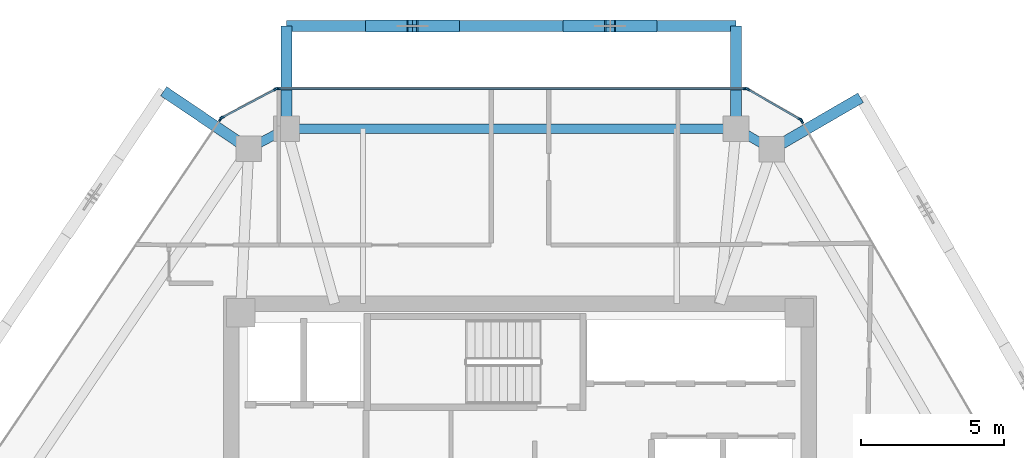
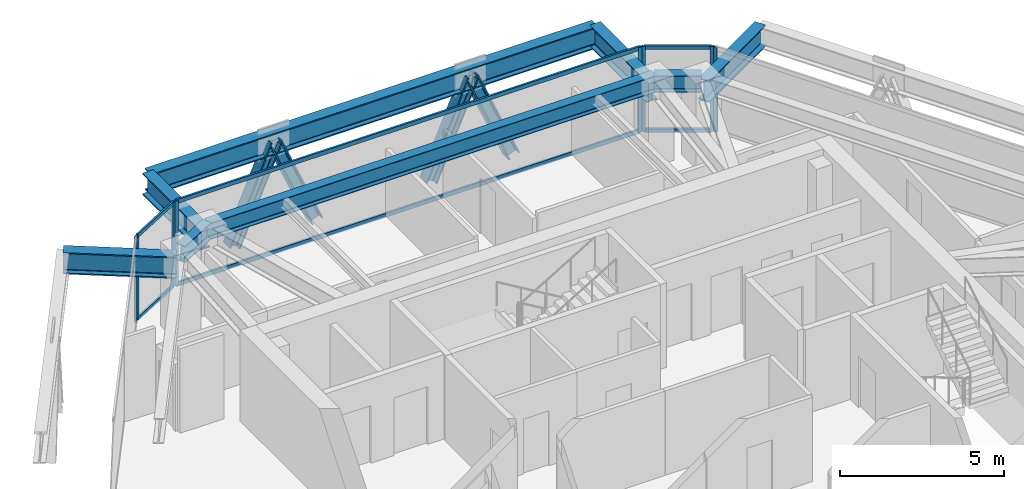
# One storey, part 6 of 13: 18 members, 8 beams, 5 elements without a shape of their own.
"""IFC4 building model written with IfcOpenShell, lengths in metres."""

from ifc_helpers import new_model, si_unit, direction, frame, origin, origin_2d, place, context, subcontext, project, spatial, rectangle, i_section, extrude, source, transform, mapped, material, layer, layer_set, material_profile, profile_set, type_object, type_shapes, element, aggregate, save


model = new_model("IFC4")

# Units and contexts
model_context = context("Model", 3, precision=1e-05, world=origin(), true_north=direction((0.0, 1.0)))
body_context = subcontext(model_context, "Body", "Model", "MODEL_VIEW")
ifc_project = project(units=[si_unit("LENGTHUNIT", "METRE"), si_unit("AREAUNIT", "SQUARE_METRE"), si_unit("VOLUMEUNIT", "CUBIC_METRE"), si_unit("PLANEANGLEUNIT", "RADIAN"), si_unit("MASSUNIT", "GRAM", prefix="KILO")], contexts=[model_context])

# Site, building, storey
site_placement = place(None, origin())
site = spatial("IfcSite", under=ifc_project, at=site_placement, CompositionType="ELEMENT")
building_placement = place(site_placement, origin())
building = spatial("IfcBuilding", under=site, at=building_placement, Name="Durnholm Broadcast Tower", CompositionType="ELEMENT")
storey_placement = place(building_placement, frame((0.0, 0.0, 254.699951171875)))
storey = spatial("IfcBuildingStorey", under=building, at=storey_placement, Name="L71", CompositionType="ELEMENT", Elevation=254.699951171875)

# Beams
ifc_material_1 = material(Name="Steel ASTM A992 Grade 50", Category="steel")
ifc_material_profile_1 = material_profile(ifc_material_1, i_section(OverallWidth=0.385009765625, OverallDepth=0.802978515625, WebThickness=0.023681640625, FlangeThickness=0.0419921875, FilletRadius=0.032958984375, at=origin_2d()), Name="W30X261")
ifc_profile_set_1 = profile_set([ifc_material_profile_1], Name="Steel ASTM A992 Grade 50")
beam_type_1 = type_object("IfcBeamType", Name="BM-EXO-TIE", PredefinedType="USERDEFINED", material=ifc_profile_set_1)
shared_shape_1 = source(origin(), body_context, "Body", "SweptSolid", [
    extrude(i_section(OverallWidth=0.385009765625, OverallDepth=0.802978515625, WebThickness=0.023681640625, FlangeThickness=0.0419921875, FilletRadius=0.032958984375, at=origin_2d()), origin(), (0.0, 0.0, 1.0), 3.4560546875),
])
for number, where, z_axis, x_axis, name in (
    (1, (7.57958984375, 14.406005859375, 2.408447265625), (0.0, 1.0, 0.0), (-1.0, 0.0, 0.0), "L71 exoskeleton stand-off tie bracket F4.1"),
    (2, (-8.187744140625, 14.406005859375, 2.408447265625), (0.0, 1.0, 0.0), (-1.0, 0.0, 0.0), "L71 exoskeleton stand-off tie bracket F4.2"),
):
    element("IfcBeam", number, at=place(storey_placement, frame(where, z_axis=z_axis, x_axis=x_axis)), inside=storey, type_object=beam_type_1, Name=name, ObjectType="GIRDER", PredefinedType="USERDEFINED", context=body_context, shape_type="MappedRepresentation", body=[
        mapped(shared_shape_1, transform((0.0, 0.0, 0.0), x_axis=(1.0, 0.0, 0.0), y_axis=(0.0, 1.0, 0.0), z_axis=(0.0, 0.0, 1.0), scale=1.0)),
    ])
shared_shape_2 = source(origin(), body_context, "Body", "SweptSolid", [
    extrude(i_section(OverallWidth=0.385009765625, OverallDepth=0.802978515625, WebThickness=0.023681640625, FlangeThickness=0.0419921875, FilletRadius=0.032958984375, at=origin_2d()), origin(), (0.0, 0.0, 1.0), 3.455810546875),
])
for number, where, z_axis, x_axis, name in (
    (3, (8.9619140625, 13.610107421875, 2.408447265625), (0.864906682814, 0.501932694715, 0.0), (-0.501932694715, 0.864906682814, 0.0), "L71 exoskeleton stand-off tie bracket F3.2"),
    (4, (-9.63427734375, 13.637939453125, 2.408447265625), (-0.828446342252, 0.560068440469, 0.0), (-0.560068440469, -0.828446342252, 0.0), "L71 exoskeleton stand-off tie bracket F5.1"),
):
    element("IfcBeam", number, at=place(storey_placement, frame(where, z_axis=z_axis, x_axis=x_axis)), inside=storey, type_object=beam_type_1, Name=name, ObjectType="GIRDER", PredefinedType="USERDEFINED", context=body_context, shape_type="MappedRepresentation", body=[
        mapped(shared_shape_2, transform((0.0, 0.0, 0.0), x_axis=(1.0, 0.0, 0.0), y_axis=(0.0, 1.0, 0.0), z_axis=(0.0, 0.0, 1.0), scale=1.0)),
    ])
ifc_material_profile_2 = material_profile(ifc_material_1, i_section(OverallWidth=0.3251953125, OverallDepth=0.6162109375, WebThickness=0.013916015625, FlangeThickness=0.021484375, FilletRadius=0.02783203125, at=origin_2d()), Name="W24X117")
ifc_profile_set_2 = profile_set([ifc_material_profile_2], Name="Steel ASTM A992 Grade 50")
beam_type_2 = type_object("IfcBeamType", Name="STL-SP-W24X117", PredefinedType="SPANDREL", material=ifc_profile_set_2)
shared_shape_3 = source(origin(), body_context, "Body", "SweptSolid", [
    extrude(i_section(OverallWidth=0.3251953125, OverallDepth=0.6162109375, WebThickness=0.013916015625, FlangeThickness=0.021484375, FilletRadius=0.02783203125, at=origin_2d()), origin(), (0.0, 0.0, 1.0), 1.502685546875),
])
beam_1_placement = place(storey_placement, frame((-9.514892578125, 13.557373046875, 2.8369140625), z_axis=(0.883241909673, 0.468917614296, 0.0), x_axis=(-0.468917614296, 0.883241909673, 0.0)))
element("IfcBeam", 5, at=beam_1_placement, inside=storey, type_object=beam_type_2, Name="L71 perimeter spandrel girder 04", PredefinedType="SPANDREL", context=body_context, shape_type="MappedRepresentation", body=[
    mapped(shared_shape_3, transform((0.0, 0.0, 0.0), x_axis=(1.0, 0.0, 0.0), y_axis=(0.0, 1.0, 0.0), z_axis=(0.0, 0.0, 1.0), scale=1.0)),
])
shared_shape_4 = source(origin(), body_context, "Body", "SweptSolid", [
    extrude(i_section(OverallWidth=0.3251953125, OverallDepth=0.6162109375, WebThickness=0.013916015625, FlangeThickness=0.021484375, FilletRadius=0.02783203125, at=origin_2d()), origin(), (0.0, 0.0, 1.0), 15.767333984375),
])
beam_2_placement = place(storey_placement, frame((-8.187744140625, 14.261962890625, 2.8369140625), z_axis=(1.0, 0.0, 0.0), x_axis=(0.0, 1.0, 0.0)))
element("IfcBeam", 6, at=beam_2_placement, inside=storey, type_object=beam_type_2, Name="L71 perimeter spandrel girder 05", PredefinedType="SPANDREL", context=body_context, shape_type="MappedRepresentation", body=[
    mapped(shared_shape_4, transform((0.0, 0.0, 0.0), x_axis=(1.0, 0.0, 0.0), y_axis=(0.0, 1.0, 0.0), z_axis=(0.0, 0.0, 1.0), scale=1.0)),
])
shared_shape_5 = source(origin(), body_context, "Body", "SweptSolid", [
    extrude(i_section(OverallWidth=0.3251953125, OverallDepth=0.6162109375, WebThickness=0.013916015625, FlangeThickness=0.021484375, FilletRadius=0.02783203125, at=origin_2d()), origin(), (0.0, 0.0, 1.0), 1.451416015625),
])
type_shapes(beam_type_2, [shared_shape_3, shared_shape_4, shared_shape_5])
beam_3_placement = place(storey_placement, frame((7.57958984375, 14.261962890625, 2.8369140625), z_axis=(0.866571760088, -0.499052486836, 0.0), x_axis=(0.499052486836, 0.866571760088, 0.0)))
element("IfcBeam", 7, at=beam_3_placement, inside=storey, type_object=beam_type_2, Name="L71 perimeter spandrel girder 06", PredefinedType="SPANDREL", context=body_context, shape_type="MappedRepresentation", body=[
    mapped(shared_shape_5, transform((0.0, 0.0, 0.0), x_axis=(1.0, 0.0, 0.0), y_axis=(0.0, 1.0, 0.0), z_axis=(0.0, 0.0, 1.0), scale=1.0)),
])
shared_shape_6 = source(origin(), body_context, "Body", "SweptSolid", [
    extrude(i_section(OverallWidth=0.385009765625, OverallDepth=0.802978515625, WebThickness=0.023681640625, FlangeThickness=0.0419921875, FilletRadius=0.032958984375, at=origin_2d()), origin(), (0.0, 0.0, 1.0), 15.767333984375),
])
type_shapes(beam_type_1, [shared_shape_1, shared_shape_2, shared_shape_6])
beam_4_placement = place(storey_placement, frame((7.57958984375, 17.862060546875, 2.408447265625), z_axis=(-1.0, 0.0, 0.0), x_axis=(0.0, -1.0, 0.0)))
element("IfcBeam", 8, at=beam_4_placement, inside=storey, type_object=beam_type_1, Name="L71 exoskeleton collector spandrel F4", PredefinedType="SPANDREL", context=body_context, shape_type="MappedRepresentation", body=[
    mapped(shared_shape_6, transform((0.0, 0.0, 0.0), x_axis=(1.0, 0.0, 0.0), y_axis=(0.0, 1.0, 0.0), z_axis=(0.0, 0.0, 1.0), scale=1.0)),
])

# Members
ifc_material_2 = material(Name="Steel ASTM A913 Grade 65", Category="steel")
ifc_material_profile_3 = material_profile(ifc_material_2, i_section(OverallWidth=0.40625, OverallDepth=0.416015625, WebThickness=0.02978515625, FlangeThickness=0.048095703125, FilletRadius=0.030517578125, at=origin_2d()), Name="W14X257")
ifc_profile_set_3 = profile_set([ifc_material_profile_3], Name="Steel ASTM A913 Grade 65")
member_type_1 = type_object("IfcMemberType", Name="STL-DG-W14X257", PredefinedType="BRACE", material=ifc_profile_set_3)
shared_shape_7 = source(origin(), body_context, "Body", "SweptSolid", [
    extrude(i_section(OverallWidth=0.40625, OverallDepth=0.416015625, WebThickness=0.02978515625, FlangeThickness=0.048095703125, FilletRadius=0.030517578125, at=origin_2d()), origin(), (0.0, 0.0, 1.0), 3.699462890625),
])
type_shapes(member_type_1, [shared_shape_7])
for number, where, z_axis, x_axis, name in (
    (9, (4.623046875, 17.862060546875, -0.991455078125), (-0.394182120618, 0.0, 0.919032347518), (0.0, -1.0, 0.0), "L71 stand-off diagrid brace F4.D1.1"),
    (10, (1.70654296875, 17.862060546875, -0.991455078125), (0.394182120618, 0.0, 0.919032347518), (0.0, 1.0, 0.0), "L71 stand-off diagrid brace F4.D1.2"),
    (11, (-2.314697265625, 17.862060546875, -0.991455078125), (-0.394126378567, 0.0, 0.919056253838), (0.0, -1.0, 0.0), "L71 stand-off diagrid brace F4.D2.1"),
    (12, (-5.23095703125, 17.862060546875, -0.991455078125), (0.394182120618, 0.0, 0.919032347518), (0.0, 1.0, 0.0), "L71 stand-off diagrid brace F4.D2.2"),
):
    element("IfcMember", number, at=place(storey_placement, frame(where, z_axis=z_axis, x_axis=x_axis)), inside=storey, type_object=member_type_1, Name=name, PredefinedType="BRACE", context=body_context, shape_type="MappedRepresentation", body=[
        mapped(shared_shape_7, transform((0.0, 0.0, 0.0), x_axis=(1.0, 0.0, 0.0), y_axis=(0.0, 1.0, 0.0), z_axis=(0.0, 0.0, 1.0), scale=1.0)),
    ])

# Curtain wall, members
ifc_material_3 = material(Name="Aluminium and Solar Control IGU", Category="aluminium")
ifc_layer_1 = layer(ifc_material_3, 0.1650390625)
ifc_layer_set_1 = layer_set([ifc_layer_1], Name="Aluminium and Solar Control IGU")
curtain_wall_type_1 = type_object("IfcCurtainWallType", Name="CW-SYS-5", PredefinedType="NOTDEFINED", material=ifc_layer_set_1)
curtain_wall_1_placement = place(storey_placement, origin())
curtain_wall_1 = element("IfcCurtainWall", 13, at=curtain_wall_1_placement, inside=storey, type_object=curtain_wall_type_1, Name="L71 curtain wall CW-CORNER CW-L71-CRN-03", PredefinedType="NOTDEFINED")
ifc_material_4 = material(Name="Aluminium 6063-T6", Category="aluminium")
ifc_material_profile_4 = material_profile(ifc_material_4, rectangle(XDim=0.06494140625, YDim=0.1298828125, at=origin_2d()), Name="CWT65X130")
ifc_profile_set_4 = profile_set([ifc_material_profile_4], Name="Aluminium 6063-T6")
member_type_2 = type_object("IfcMemberType", Name="CW-SYS-5-TRN", PredefinedType="USERDEFINED", material=ifc_profile_set_4)
shared_shape_8 = source(origin(), body_context, "Body", "SweptSolid", [
    extrude(rectangle(XDim=0.06494140625, YDim=0.1298828125, at=origin_2d()), origin(), (0.0, 0.0, 1.0), 2.070068359375),
])
type_shapes(member_type_2, [shared_shape_8])
member_1_placement = place(storey_placement, frame((-10.421875, 14.66064453125, 0.032470703125), z_axis=(0.883164581026, 0.469063239682, 0.0), x_axis=(-0.469063239682, 0.883164581026, 0.0)))
member_1 = element("IfcMember", 14, at=member_1_placement, type_object=member_type_2, Name="CW-CORNER transom 1.1", ObjectType="TRANSOM", PredefinedType="USERDEFINED", context=body_context, shape_type="MappedRepresentation", body=[
    mapped(shared_shape_8, transform((0.0, 0.0, 0.0), x_axis=(1.0, 0.0, 0.0), y_axis=(0.0, 1.0, 0.0), z_axis=(0.0, 0.0, 1.0), scale=1.0)),
])
member_2_placement = place(storey_placement, frame((-10.421875, 14.66064453125, 3.12744140625), z_axis=(0.883164581026, 0.469063239682, 0.0), x_axis=(-0.469063239682, 0.883164581026, 0.0)))
member_2 = element("IfcMember", 15, at=member_2_placement, type_object=member_type_2, Name="CW-CORNER transom 1.2", ObjectType="TRANSOM", PredefinedType="USERDEFINED", context=body_context, shape_type="MappedRepresentation", body=[
    mapped(shared_shape_8, transform((0.0, 0.0, 0.0), x_axis=(1.0, 0.0, 0.0), y_axis=(0.0, 1.0, 0.0), z_axis=(0.0, 0.0, 1.0), scale=1.0)),
])

curtain_wall_2_placement = place(storey_placement, origin())
curtain_wall_2 = element("IfcCurtainWall", 16, at=curtain_wall_2_placement, inside=storey, type_object=curtain_wall_type_1, Name="L71 curtain wall CW-CORNER CW-L71-CRN-05", PredefinedType="NOTDEFINED")
member_3_placement = place(storey_placement, frame((8.01025390625, 15.629638671875, 0.032470703125), z_axis=(0.866525076636, -0.499133540809, 0.0), x_axis=(0.499133540809, 0.866525076636, 0.0)))
member_3 = element("IfcMember", 17, at=member_3_placement, type_object=member_type_2, Name="CW-CORNER transom 1.1", ObjectType="TRANSOM", PredefinedType="USERDEFINED", context=body_context, shape_type="MappedRepresentation", body=[
    mapped(shared_shape_8, transform((0.0, 0.0, 0.0), x_axis=(1.0, 0.0, 0.0), y_axis=(0.0, 1.0, 0.0), z_axis=(0.0, 0.0, 1.0), scale=1.0)),
])
member_4_placement = place(storey_placement, frame((8.01025390625, 15.629638671875, 3.12744140625), z_axis=(0.866525076636, -0.499133540809, 0.0), x_axis=(0.499133540809, 0.866525076636, 0.0)))
member_4 = element("IfcMember", 18, at=member_4_placement, type_object=member_type_2, Name="CW-CORNER transom 1.2", ObjectType="TRANSOM", PredefinedType="USERDEFINED", context=body_context, shape_type="MappedRepresentation", body=[
    mapped(shared_shape_8, transform((0.0, 0.0, 0.0), x_axis=(1.0, 0.0, 0.0), y_axis=(0.0, 1.0, 0.0), z_axis=(0.0, 0.0, 1.0), scale=1.0)),
])

ifc_layer_2 = layer(ifc_material_3, 0.18994140625)
ifc_layer_set_2 = layer_set([ifc_layer_2], Name="Aluminium and Solar Control IGU")
curtain_wall_type_2 = type_object("IfcCurtainWallType", Name="CW-SYS-4", PredefinedType="NOTDEFINED", material=ifc_layer_set_2)
curtain_wall_3_placement = place(storey_placement, origin())
curtain_wall_3 = element("IfcCurtainWall", 19, at=curtain_wall_3_placement, inside=storey, type_object=curtain_wall_type_2, Name="L71 curtain wall CW-Z34-VIS CW-L71-F04", PredefinedType="NOTDEFINED")
ifc_material_profile_5 = material_profile(ifc_material_4, rectangle(XDim=0.070068359375, YDim=0.14990234375, at=origin_2d()), Name="CWT70X150")
ifc_profile_set_5 = profile_set([ifc_material_profile_5], Name="Aluminium 6063-T6")
member_type_3 = type_object("IfcMemberType", Name="CW-SYS-4-TRN", PredefinedType="USERDEFINED", material=ifc_profile_set_5)
shared_shape_9 = source(origin(), body_context, "Body", "SweptSolid", [
    extrude(rectangle(XDim=0.070068359375, YDim=0.14990234375, at=origin_2d()), origin(), (0.0, 0.0, 1.0), 16.350341796875),
])
type_shapes(member_type_3, [shared_shape_9])
member_5_placement = place(storey_placement, frame((-8.46630859375, 15.662109375, 0.03515625), z_axis=(1.0, 0.0, 0.0), x_axis=(0.0, 1.0, 0.0)))
member_5 = element("IfcMember", 20, at=member_5_placement, type_object=member_type_3, Name="CW-Z34-VIS transom 1.1", ObjectType="TRANSOM", PredefinedType="USERDEFINED", context=body_context, shape_type="MappedRepresentation", body=[
    mapped(shared_shape_9, transform((0.0, 0.0, 0.0), x_axis=(1.0, 0.0, 0.0), y_axis=(0.0, 1.0, 0.0), z_axis=(0.0, 0.0, 1.0), scale=1.0)),
])
member_6_placement = place(storey_placement, frame((-8.46630859375, 15.662109375, 3.125), z_axis=(1.0, 0.0, 0.0), x_axis=(0.0, 1.0, 0.0)))
member_6 = element("IfcMember", 21, at=member_6_placement, type_object=member_type_3, Name="CW-Z34-VIS transom 1.2", ObjectType="TRANSOM", PredefinedType="USERDEFINED", context=body_context, shape_type="MappedRepresentation", body=[
    mapped(shared_shape_9, transform((0.0, 0.0, 0.0), x_axis=(1.0, 0.0, 0.0), y_axis=(0.0, 1.0, 0.0), z_axis=(0.0, 0.0, 1.0), scale=1.0)),
])

# Member
ifc_material_profile_6 = material_profile(ifc_material_4, rectangle(XDim=0.06494140625, YDim=0.1650390625, at=origin_2d()), Name="CWM65X165")
ifc_profile_set_6 = profile_set([ifc_material_profile_6], Name="Aluminium 6063-T6")
member_type_4 = type_object("IfcMemberType", Name="CW-SYS-5-MUL", PredefinedType="MULLION", material=ifc_profile_set_6)
shared_shape_10 = source(origin(), body_context, "Body", "SweptSolid", [
    extrude(rectangle(XDim=0.06494140625, YDim=0.1650390625, at=origin_2d()), origin(), (0.0, 0.0, 1.0), 3.16015625),
])
type_shapes(member_type_4, [shared_shape_10])
member_7_placement = place(storey_placement, frame((-10.45068359375, 14.6455078125, 0.0), z_axis=(0.0, 0.0, 1.0), x_axis=(-0.469006771575, 0.883194569853, 0.0)))
member_7 = element("IfcMember", 22, at=member_7_placement, type_object=member_type_4, Name="CW-CORNER mullion 1", PredefinedType="MULLION", context=body_context, shape_type="MappedRepresentation", body=[
    mapped(shared_shape_10, transform((0.0, 0.0, 0.0), x_axis=(1.0, 0.0, 0.0), y_axis=(0.0, 1.0, 0.0), z_axis=(0.0, 0.0, 1.0), scale=1.0)),
])

member_8_placement = place(storey_placement, frame((-8.565185546875, 15.646728515625, 0.0), z_axis=(0.0, 0.0, 1.0), x_axis=(-0.469006771575, 0.883194569853, 0.0)))
member_8 = element("IfcMember", 23, at=member_8_placement, type_object=member_type_4, Name="CW-CORNER mullion 2", PredefinedType="MULLION", context=body_context, shape_type="MappedRepresentation", body=[
    mapped(shared_shape_10, transform((0.0, 0.0, 0.0), x_axis=(1.0, 0.0, 0.0), y_axis=(0.0, 1.0, 0.0), z_axis=(0.0, 0.0, 1.0), scale=1.0)),
])

aggregate(curtain_wall_1, [member_7, member_8, member_1, member_2])

member_9_placement = place(storey_placement, frame((7.982177734375, 15.645751953125, 0.0), z_axis=(0.0, 0.0, 1.0), x_axis=(0.499058582333, 0.866568249707, 0.0)))
member_9 = element("IfcMember", 24, at=member_9_placement, type_object=member_type_4, Name="CW-CORNER mullion 1", PredefinedType="MULLION", context=body_context, shape_type="MappedRepresentation", body=[
    mapped(shared_shape_10, transform((0.0, 0.0, 0.0), x_axis=(1.0, 0.0, 0.0), y_axis=(0.0, 1.0, 0.0), z_axis=(0.0, 0.0, 1.0), scale=1.0)),
])

member_10_placement = place(storey_placement, frame((9.832275390625, 14.580322265625, 0.0), z_axis=(0.0, 0.0, 1.0), x_axis=(0.499058582333, 0.866568249707, 0.0)))
member_10 = element("IfcMember", 25, at=member_10_placement, type_object=member_type_4, Name="CW-CORNER mullion 2", PredefinedType="MULLION", context=body_context, shape_type="MappedRepresentation", body=[
    mapped(shared_shape_10, transform((0.0, 0.0, 0.0), x_axis=(1.0, 0.0, 0.0), y_axis=(0.0, 1.0, 0.0), z_axis=(0.0, 0.0, 1.0), scale=1.0)),
])

aggregate(curtain_wall_2, [member_9, member_10, member_3, member_4])

# Curtain wall, member
curtain_wall_4_placement = place(storey_placement, origin())
curtain_wall_4 = element("IfcCurtainWall", 26, at=curtain_wall_4_placement, inside=storey, type_object=curtain_wall_type_2, Name="L71 curtain wall CW-Z34-VIS CW-L71-F02", PredefinedType="NOTDEFINED")
ifc_material_profile_7 = material_profile(ifc_material_4, rectangle(XDim=0.070068359375, YDim=0.18994140625, at=origin_2d()), Name="CWM70X190")
ifc_profile_set_7 = profile_set([ifc_material_profile_7], Name="Aluminium 6063-T6")
member_type_5 = type_object("IfcMemberType", Name="CW-SYS-4-MUL", PredefinedType="MULLION", material=ifc_profile_set_7)
shared_shape_11 = source(origin(), body_context, "Body", "SweptSolid", [
    extrude(rectangle(XDim=0.070068359375, YDim=0.18994140625, at=origin_2d()), origin(), (0.0, 0.0, 1.0), 3.16015625),
])
type_shapes(member_type_5, [shared_shape_11])
member_11_placement = place(storey_placement, frame((-10.4990234375, 14.601318359375, 0.0), z_axis=(0.0, 0.0, 1.0), x_axis=(-0.828443431662, 0.560072745753, 0.0)))
member_11 = element("IfcMember", 27, at=member_11_placement, type_object=member_type_5, Name="CW-Z34-VIS mullion 2", PredefinedType="MULLION", context=body_context, shape_type="MappedRepresentation", body=[
    mapped(shared_shape_11, transform((0.0, 0.0, 0.0), x_axis=(1.0, 0.0, 0.0), y_axis=(0.0, 1.0, 0.0), z_axis=(0.0, 0.0, 1.0), scale=1.0)),
])
aggregate(curtain_wall_4, [member_11])

# Member
member_12_placement = place(storey_placement, frame((-8.50146484375, 15.662109375, 0.0), z_axis=(0.0, 0.0, 1.0), x_axis=(0.0, 1.0, 0.0)))
member_12 = element("IfcMember", 28, at=member_12_placement, type_object=member_type_5, Name="CW-Z34-VIS mullion 1", PredefinedType="MULLION", context=body_context, shape_type="MappedRepresentation", body=[
    mapped(shared_shape_11, transform((0.0, 0.0, 0.0), x_axis=(1.0, 0.0, 0.0), y_axis=(0.0, 1.0, 0.0), z_axis=(0.0, 0.0, 1.0), scale=1.0)),
])

member_13_placement = place(storey_placement, frame((7.9189453125, 15.662109375, 0.0), z_axis=(0.0, 0.0, 1.0), x_axis=(0.0, 1.0, 0.0)))
member_13 = element("IfcMember", 29, at=member_13_placement, type_object=member_type_5, Name="CW-Z34-VIS mullion 2", PredefinedType="MULLION", context=body_context, shape_type="MappedRepresentation", body=[
    mapped(shared_shape_11, transform((0.0, 0.0, 0.0), x_axis=(1.0, 0.0, 0.0), y_axis=(0.0, 1.0, 0.0), z_axis=(0.0, 0.0, 1.0), scale=1.0)),
])

aggregate(curtain_wall_3, [member_12, member_13, member_5, member_6])

# Curtain wall, member
curtain_wall_5_placement = place(storey_placement, origin())
curtain_wall_5 = element("IfcCurtainWall", 30, at=curtain_wall_5_placement, inside=storey, type_object=curtain_wall_type_2, Name="L71 curtain wall CW-Z34-VIS CW-L71-F06", PredefinedType="NOTDEFINED")
member_14_placement = place(storey_placement, frame((9.8779296875, 14.533935546875, 0.0), z_axis=(0.0, 0.0, 1.0), x_axis=(0.864899883824, 0.50194441023, 0.0)))
member_14 = element("IfcMember", 31, at=member_14_placement, type_object=member_type_5, Name="CW-Z34-VIS mullion 1", PredefinedType="MULLION", context=body_context, shape_type="MappedRepresentation", body=[
    mapped(shared_shape_11, transform((0.0, 0.0, 0.0), x_axis=(1.0, 0.0, 0.0), y_axis=(0.0, 1.0, 0.0), z_axis=(0.0, 0.0, 1.0), scale=1.0)),
])
aggregate(curtain_wall_5, [member_14])

save(model, "model.ifc")
